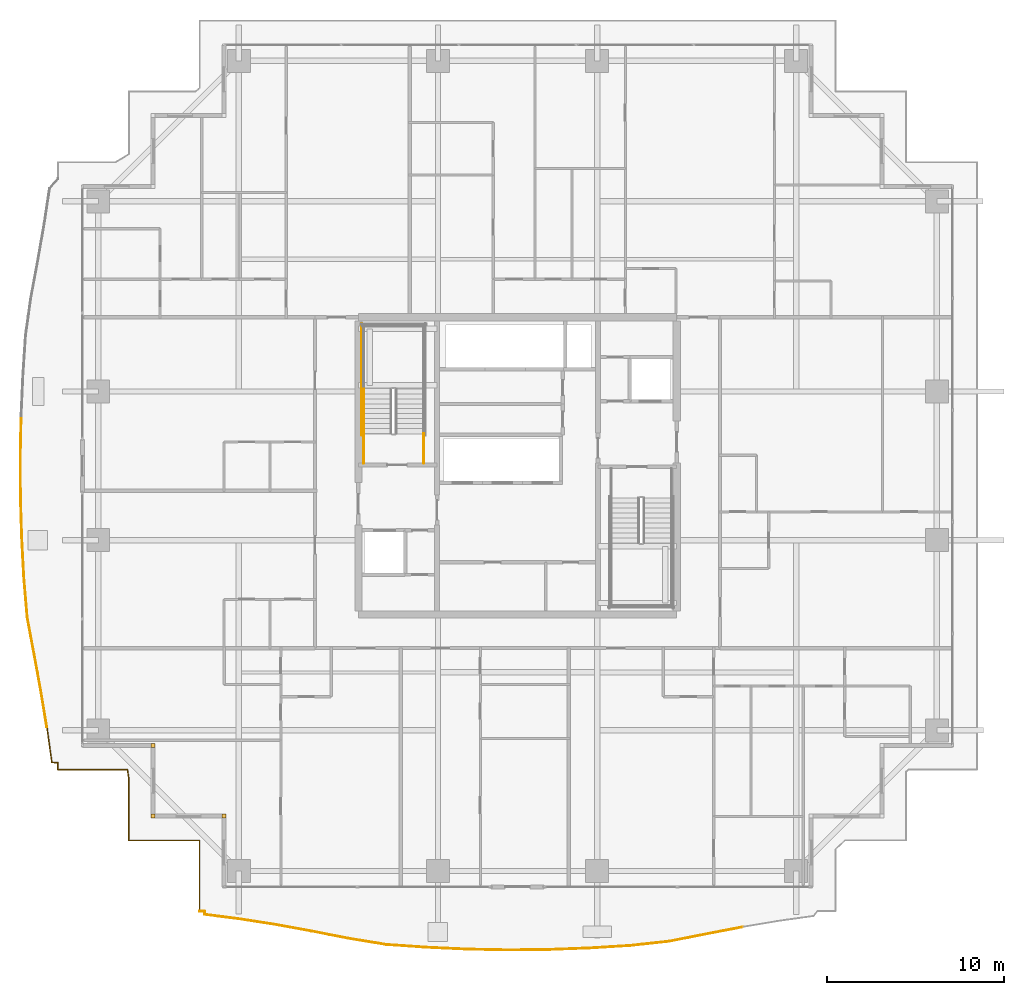
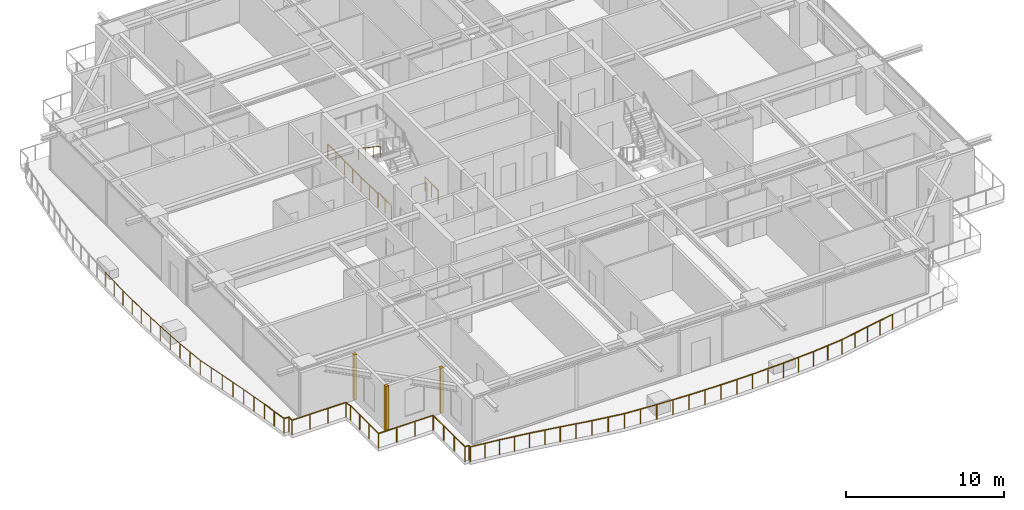
# One storey, part 31 of 35: 8 railings, 3 coverings.
"""IFC4 building model written with IfcOpenShell, lengths in metres."""

from ifc_helpers import new_model, si_unit, direction, frame, origin, origin_2d, place, context, subcontext, project, spatial, rectangle, circle, extrude, source, transform, mapped, material, layer, layer_set, type_object, element, save


model = new_model("IFC4")

# Units and contexts
model_context = context("Model", 3, precision=1e-05, world=origin(), true_north=direction((0.0, 1.0)))
body_context = subcontext(model_context, "Body", "Model", "MODEL_VIEW")
ifc_project = project(units=[si_unit("LENGTHUNIT", "METRE"), si_unit("AREAUNIT", "SQUARE_METRE"), si_unit("VOLUMEUNIT", "CUBIC_METRE"), si_unit("PLANEANGLEUNIT", "RADIAN"), si_unit("MASSUNIT", "GRAM", prefix="KILO")], contexts=[model_context])

# Site, building, storey
site_placement = place(None, origin())
site = spatial("IfcSite", under=ifc_project, at=site_placement, CompositionType="ELEMENT")
building_placement = place(site_placement, origin())
building = spatial("IfcBuilding", under=site, at=building_placement, Name="Serunith Strait Residences", CompositionType="ELEMENT")
storey_placement = place(building_placement, frame((0.0, 0.0, 172.64990234375)))
storey = spatial("IfcBuildingStorey", under=building, at=storey_placement, Name="L43", CompositionType="ELEMENT", Elevation=172.64990234375)

# Railings
ifc_material_1 = material(Name="Stainless Steel & Laminated Glass Balustrade", Category="steel")
railing_type_1 = type_object("IfcRailingType", Name="RLG-BALC-1150", PredefinedType="BALUSTRADE", material=ifc_material_1)
railing_1_placement = place(storey_placement, frame((14.419921875, 0.02001953125, -0.0498046875)))
element("IfcRailing", 1, at=railing_1_placement, inside=storey, type_object=railing_type_1, Name="L43 Swirling Balcony Perimeter Balustrade 1", PredefinedType="BALUSTRADE", context=body_context, shape_type="SweptSolid", body=[
    extrude(circle(Radius=0.02392578125, at=origin_2d()), frame((0.0, 0.001953125, 1.1259765625), z_axis=(0.0, 1.0, 0.0), x_axis=(-1.0, 0.0, 0.0)), (0.0, 0.0, 1.0), 3.99609375),
    extrude(circle(Radius=0.02392578125, at=origin_2d()), frame((-0.001953125, 4.0, 1.1259765625), z_axis=(-1.0, 0.0, 0.0), x_axis=(0.0, -1.0, 0.0)), (0.0, 0.0, 1.0), 3.99609375),
    extrude(circle(Radius=0.02392578125, at=origin_2d()), frame((-4.0, 4.001953125, 1.1259765625), z_axis=(0.0, 1.0, 0.0), x_axis=(-1.0, 0.0, 0.0)), (0.0, 0.0, 1.0), 3.53271484375),
    extrude(circle(Radius=0.02392578125, at=origin_2d()), frame((-4.000244140625, 7.53857421875, 1.1259765625), z_axis=(-0.146454216708, 0.989217449507, 0.0), x_axis=(-0.989217449507, -0.146454216708, 0.0)), (0.0, 0.0, 1.0), 0.46435546875),
    extrude(circle(Radius=0.02392578125, at=origin_2d()), frame((-4.070556640625, 8.0, 1.1259765625), z_axis=(-1.0, 0.0, 0.0), x_axis=(0.0, -1.0, 0.0)), (0.0, 0.0, 1.0), 3.927490234375),
    extrude(circle(Radius=0.02392578125, at=origin_2d()), frame((-8.0, 8.001953125, 1.1259765625), z_axis=(0.0, 1.0, 0.0), x_axis=(-1.0, 0.0, 0.0)), (0.0, 0.0, 1.0), 0.391357421875),
    extrude(circle(Radius=0.02392578125, at=origin_2d()), frame((-8.001953125, 8.395263671875, 1.1259765625), z_axis=(-0.998356331499, 0.057311738378, 0.0), x_axis=(-0.057311738378, -0.998356331499, 0.0)), (0.0, 0.0, 1.0), 0.341064453125),
    extrude(circle(Radius=0.02392578125, at=origin_2d()), frame((-8.3447265625, 8.4169921875, 1.1259765625), z_axis=(-0.138226324343, 0.990400668042, 0.0), x_axis=(-0.990400668042, -0.138226324343, 0.0)), (0.0, 0.0, 1.0), 2.018310546875),
    extrude(circle(Radius=0.02099609375, at=origin_2d()), origin(), (0.0, 0.0, 1.0), 1.099853515625),
    extrude(circle(Radius=0.02099609375, at=origin_2d()), frame((0.0, 1.333251953125, 0.0)), (0.0, 0.0, 1.0), 1.099853515625),
    extrude(circle(Radius=0.02099609375, at=origin_2d()), frame((0.0, 2.666748046875, 0.0)), (0.0, 0.0, 1.0), 1.099853515625),
    extrude(circle(Radius=0.02099609375, at=origin_2d()), frame((0.0, 4.0, 0.0)), (0.0, 0.0, 1.0), 1.099853515625),
    extrude(circle(Radius=0.02099609375, at=origin_2d()), frame((-1.333251953125, 4.0, 0.0)), (0.0, 0.0, 1.0), 1.099853515625),
    extrude(circle(Radius=0.02099609375, at=origin_2d()), frame((-2.666748046875, 4.0, 0.0)), (0.0, 0.0, 1.0), 1.099853515625),
    extrude(circle(Radius=0.02099609375, at=origin_2d()), frame((-4.0, 4.0, 0.0)), (0.0, 0.0, 1.0), 1.099853515625),
    extrude(circle(Radius=0.02099609375, at=origin_2d()), frame((-4.0, 5.178955078125, 0.0)), (0.0, 0.0, 1.0), 1.099853515625),
    extrude(circle(Radius=0.02099609375, at=origin_2d()), frame((-4.0, 6.357666015625, 0.0)), (0.0, 0.0, 1.0), 1.099853515625),
    extrude(circle(Radius=0.02099609375, at=origin_2d()), frame((-4.0, 7.53662109375, 0.0)), (0.0, 0.0, 1.0), 1.099853515625),
    extrude(circle(Radius=0.02099609375, at=origin_2d()), frame((-4.068603515625, 8.0, 0.0)), (0.0, 0.0, 1.0), 1.099853515625),
    extrude(circle(Radius=0.02099609375, at=origin_2d()), frame((-5.379150390625, 8.0, 0.0)), (0.0, 0.0, 1.0), 1.099853515625),
    extrude(circle(Radius=0.02099609375, at=origin_2d()), frame((-6.689453125, 8.0, 0.0)), (0.0, 0.0, 1.0), 1.099853515625),
    extrude(circle(Radius=0.02099609375, at=origin_2d()), frame((-8.0, 8.0, 0.0)), (0.0, 0.0, 1.0), 1.099853515625),
    extrude(circle(Radius=0.02099609375, at=origin_2d()), frame((-8.0, 8.395263671875, 0.0)), (0.0, 0.0, 1.0), 1.099853515625),
    extrude(circle(Radius=0.02099609375, at=origin_2d()), frame((-8.344482421875, 8.4150390625, 0.0)), (0.0, 0.0, 1.0), 1.099853515625),
    extrude(circle(Radius=0.02099609375, at=origin_2d()), frame((-8.484375, 9.41650390625, 0.0)), (0.0, 0.0, 1.0), 1.099853515625),
    extrude(circle(Radius=0.02099609375, at=origin_2d()), frame((-8.6240234375, 10.41796875, 0.0)), (0.0, 0.0, 1.0), 1.099853515625),
])
railing_2_placement = place(storey_placement, frame((5.7958984375, 10.43798828125, -0.0498046875)))
element("IfcRailing", 2, at=railing_2_placement, inside=storey, type_object=railing_type_1, Name="L43 Swirling Balcony Perimeter Balustrade 2", PredefinedType="BALUSTRADE", context=body_context, shape_type="SweptSolid", body=[
    extrude(circle(Radius=0.02392578125, at=origin_2d()), frame((-0.000244140625, 0.001953125, 1.1259765625), z_axis=(-0.162390802915, 0.986726520941, 0.0), x_axis=(-0.986726520941, -0.162390802915, 0.0)), (0.0, 0.0, 1.0), 2.046630859375),
    extrude(circle(Radius=0.02392578125, at=origin_2d()), frame((-0.333251953125, 2.025390625, 1.1259765625), z_axis=(-0.179797984583, 0.983703555315, 0.0), x_axis=(-0.983703555315, -0.179797984583, 0.0)), (0.0, 0.0, 1.0), 2.091064453125),
    extrude(circle(Radius=0.02392578125, at=origin_2d()), frame((-0.710205078125, 4.08642578125, 1.1259765625), z_axis=(-0.183891499538, 0.982946548088, 0.0), x_axis=(-0.982946548088, -0.183891499538, 0.0)), (0.0, 0.0, 1.0), 2.1494140625),
    extrude(circle(Radius=0.02392578125, at=origin_2d()), frame((-1.10595703125, 6.203125, 1.1259765625), z_axis=(-0.084590018295, 0.996415841306, 0.0), x_axis=(-0.996415841306, -0.084590018295, 0.0)), (0.0, 0.0, 1.0), 2.232666015625),
    extrude(circle(Radius=0.02392578125, at=origin_2d()), frame((-1.294921875, 8.431884765625, 1.1259765625), z_axis=(-0.05284634898, 0.998602655414, 0.0), x_axis=(-0.998602655414, -0.05284634898, 0.0)), (0.0, 0.0, 1.0), 2.26904296875),
    extrude(circle(Radius=0.02392578125, at=origin_2d()), frame((-1.4150390625, 10.70166015625, 1.1259765625), z_axis=(-0.030018414859, 0.99954934584, 0.0), x_axis=(-0.99954934584, -0.030018414859, 0.0)), (0.0, 0.0, 1.0), 2.28955078125),
    extrude(circle(Radius=0.02392578125, at=origin_2d()), frame((-1.48388671875, 12.994140625, 1.1259765625), z_axis=(-0.004982446371, 0.999987587537, 0.0), x_axis=(-0.999987587537, -0.004982446371, 0.0)), (0.0, 0.0, 1.0), 2.299072265625),
    extrude(circle(Radius=0.02392578125, at=origin_2d()), frame((-1.495361328125, 15.297119140625, 1.1259765625), z_axis=(0.020601043923, 0.999787775975, 0.0), x_axis=(-0.999787775975, 0.020601043923, 0.0)), (0.0, 0.0, 1.0), 2.295166015625),
    extrude(circle(Radius=0.02099609375, at=origin_2d()), origin(), (0.0, 0.0, 1.0), 1.099853515625),
    extrude(circle(Radius=0.02099609375, at=origin_2d()), frame((-0.16650390625, 1.01171875, 0.0)), (0.0, 0.0, 1.0), 1.099853515625),
    extrude(circle(Radius=0.02099609375, at=origin_2d()), frame((-0.3330078125, 2.0234375, 0.0)), (0.0, 0.0, 1.0), 1.099853515625),
    extrude(circle(Radius=0.02099609375, at=origin_2d()), frame((-0.521484375, 3.053955078125, 0.0)), (0.0, 0.0, 1.0), 1.099853515625),
    extrude(circle(Radius=0.02099609375, at=origin_2d()), frame((-0.709716796875, 4.08447265625, 0.0)), (0.0, 0.0, 1.0), 1.099853515625),
    extrude(circle(Radius=0.02099609375, at=origin_2d()), frame((-0.90771484375, 5.142822265625, 0.0)), (0.0, 0.0, 1.0), 1.099853515625),
    extrude(circle(Radius=0.02099609375, at=origin_2d()), frame((-1.105712890625, 6.201171875, 0.0)), (0.0, 0.0, 1.0), 1.099853515625),
    extrude(circle(Radius=0.02099609375, at=origin_2d()), frame((-1.2001953125, 7.3154296875, 0.0)), (0.0, 0.0, 1.0), 1.099853515625),
    extrude(circle(Radius=0.02099609375, at=origin_2d()), frame((-1.294921875, 8.429931640625, 0.0)), (0.0, 0.0, 1.0), 1.099853515625),
    extrude(circle(Radius=0.02099609375, at=origin_2d()), frame((-1.35498046875, 9.56494140625, 0.0)), (0.0, 0.0, 1.0), 1.099853515625),
    extrude(circle(Radius=0.02099609375, at=origin_2d()), frame((-1.4150390625, 10.69970703125, 0.0)), (0.0, 0.0, 1.0), 1.099853515625),
    extrude(circle(Radius=0.02099609375, at=origin_2d()), frame((-1.449462890625, 11.845947265625, 0.0)), (0.0, 0.0, 1.0), 1.099853515625),
    extrude(circle(Radius=0.02099609375, at=origin_2d()), frame((-1.48388671875, 12.9921875, 0.0)), (0.0, 0.0, 1.0), 1.099853515625),
    extrude(circle(Radius=0.02099609375, at=origin_2d()), frame((-1.48974609375, 14.1435546875, 0.0)), (0.0, 0.0, 1.0), 1.099853515625),
    extrude(circle(Radius=0.02099609375, at=origin_2d()), frame((-1.495361328125, 15.295166015625, 0.0)), (0.0, 0.0, 1.0), 1.099853515625),
    extrude(circle(Radius=0.02099609375, at=origin_2d()), frame((-1.4716796875, 16.4443359375, 0.0)), (0.0, 0.0, 1.0), 1.099853515625),
    extrude(circle(Radius=0.02099609375, at=origin_2d()), frame((-1.447998046875, 17.59375, 0.0)), (0.0, 0.0, 1.0), 1.099853515625),
])
railing_3_placement = place(storey_placement, frame((45.1416015625, -0.8671875, -0.0498046875)))
element("IfcRailing", 3, at=railing_3_placement, inside=storey, type_object=railing_type_1, Name="L43 Swirling Balcony Perimeter Balustrade 7", PredefinedType="BALUSTRADE", context=body_context, shape_type="SweptSolid", body=[
    extrude(circle(Radius=0.02392578125, at=origin_2d()), frame((-0.001953125, -0.00048828125, 1.1259765625), z_axis=(-0.982317065038, -0.187224954896, 0.0), x_axis=(0.187224954896, -0.982317065038, 0.0)), (0.0, 0.0, 1.0), 2.083740234375),
    extrude(circle(Radius=0.02392578125, at=origin_2d()), frame((-2.052734375, -0.391357421875, 1.1259765625), z_axis=(-0.980659239032, -0.195722908474, 0.0), x_axis=(0.195722908474, -0.980659239032, 0.0)), (0.0, 0.0, 1.0), 2.145263671875),
    extrude(circle(Radius=0.02392578125, at=origin_2d()), frame((-4.160400390625, -0.811767578125, 1.1259765625), z_axis=(-0.994238247808, -0.107192847687, 0.0), x_axis=(0.107192847687, -0.994238247808, 0.0)), (0.0, 0.0, 1.0), 2.230224609375),
    extrude(circle(Radius=0.02392578125, at=origin_2d()), frame((-6.3818359375, -1.05126953125, 1.1259765625), z_axis=(-0.99807127441, -0.062078427792, 0.0), x_axis=(0.062078427792, -0.99807127441, 0.0)), (0.0, 0.0, 1.0), 2.277099609375),
    extrude(circle(Radius=0.02392578125, at=origin_2d()), frame((-8.658447265625, -1.192626953125, 1.1259765625), z_axis=(-0.999293346961, -0.037587321273, 0.0), x_axis=(0.037587321273, -0.999293346961, 0.0)), (0.0, 0.0, 1.0), 2.3017578125),
    extrude(circle(Radius=0.02392578125, at=origin_2d()), frame((-10.962646484375, -1.279296875, 1.1259765625), z_axis=(-0.999952015864, -0.009796222214, 0.0), x_axis=(0.009796222214, -0.999952015864, 0.0)), (0.0, 0.0, 1.0), 2.313720703125),
    extrude(circle(Radius=0.02392578125, at=origin_2d()), frame((-13.2802734375, -1.302001953125, 1.1259765625), z_axis=(-0.999819789152, 0.018983920047, 0.0), x_axis=(-0.018983920047, -0.999819789152, 0.0)), (0.0, 0.0, 1.0), 2.310791015625),
    extrude(circle(Radius=0.02392578125, at=origin_2d()), frame((-15.5947265625, -1.258056640625, 1.1259765625), z_axis=(-0.998941197084, 0.046005268915, 0.0), x_axis=(-0.046005268915, -0.998941197084, 0.0)), (0.0, 0.0, 1.0), 2.2939453125),
    extrude(circle(Radius=0.02099609375, at=origin_2d()), origin(), (0.0, 0.0, 1.0), 1.099853515625),
    extrude(circle(Radius=0.02099609375, at=origin_2d()), frame((-1.025390625, -0.1953125, 0.0)), (0.0, 0.0, 1.0), 1.099853515625),
    extrude(circle(Radius=0.02099609375, at=origin_2d()), frame((-2.05078125, -0.390869140625, 0.0)), (0.0, 0.0, 1.0), 1.099853515625),
    extrude(circle(Radius=0.02099609375, at=origin_2d()), frame((-3.1044921875, -0.60107421875, 0.0)), (0.0, 0.0, 1.0), 1.099853515625),
    extrude(circle(Radius=0.02099609375, at=origin_2d()), frame((-4.158447265625, -0.8115234375, 0.0)), (0.0, 0.0, 1.0), 1.099853515625),
    extrude(circle(Radius=0.02099609375, at=origin_2d()), frame((-5.26904296875, -0.93115234375, 0.0)), (0.0, 0.0, 1.0), 1.099853515625),
    extrude(circle(Radius=0.02099609375, at=origin_2d()), frame((-6.3798828125, -1.051025390625, 0.0)), (0.0, 0.0, 1.0), 1.099853515625),
    extrude(circle(Radius=0.02099609375, at=origin_2d()), frame((-7.51806640625, -1.121826171875, 0.0)), (0.0, 0.0, 1.0), 1.099853515625),
    extrude(circle(Radius=0.02099609375, at=origin_2d()), frame((-8.656494140625, -1.192626953125, 0.0)), (0.0, 0.0, 1.0), 1.099853515625),
    extrude(circle(Radius=0.02099609375, at=origin_2d()), frame((-9.80859375, -1.23583984375, 0.0)), (0.0, 0.0, 1.0), 1.099853515625),
    extrude(circle(Radius=0.02099609375, at=origin_2d()), frame((-10.960693359375, -1.279296875, 0.0)), (0.0, 0.0, 1.0), 1.099853515625),
    extrude(circle(Radius=0.02099609375, at=origin_2d()), frame((-12.11962890625, -1.29052734375, 0.0)), (0.0, 0.0, 1.0), 1.099853515625),
    extrude(circle(Radius=0.02099609375, at=origin_2d()), frame((-13.2783203125, -1.302001953125, 0.0)), (0.0, 0.0, 1.0), 1.099853515625),
    extrude(circle(Radius=0.02099609375, at=origin_2d()), frame((-14.435546875, -1.280029296875, 0.0)), (0.0, 0.0, 1.0), 1.099853515625),
    extrude(circle(Radius=0.02099609375, at=origin_2d()), frame((-15.5927734375, -1.258056640625, 0.0)), (0.0, 0.0, 1.0), 1.099853515625),
    extrude(circle(Radius=0.02099609375, at=origin_2d()), frame((-16.740478515625, -1.205078125, 0.0)), (0.0, 0.0, 1.0), 1.099853515625),
    extrude(circle(Radius=0.02099609375, at=origin_2d()), frame((-17.88818359375, -1.15234375, 0.0)), (0.0, 0.0, 1.0), 1.099853515625),
])
railing_4_placement = place(storey_placement, frame((27.25341796875, -2.01953125, -0.0498046875)))
element("IfcRailing", 4, at=railing_4_placement, inside=storey, type_object=railing_type_1, Name="L43 Swirling Balcony Perimeter Balustrade 8", PredefinedType="BALUSTRADE", context=body_context, shape_type="SweptSolid", body=[
    extrude(circle(Radius=0.02392578125, at=origin_2d()), frame((-0.001953125, 0.000244140625, 1.1259765625), z_axis=(-0.997610932681, 0.069082754695, 0.0), x_axis=(-0.069082754695, -0.997610932681, 0.0)), (0.0, 0.0, 1.0), 2.264892578125),
    extrude(circle(Radius=0.02392578125, at=origin_2d()), frame((-2.265380859375, 0.156982421875, 1.1259765625), z_axis=(-0.986982646563, 0.160826786898, 0.0), x_axis=(-0.160826786898, -0.986982646563, 0.0)), (0.0, 0.0, 1.0), 2.191162109375),
    extrude(circle(Radius=0.02392578125, at=origin_2d()), frame((-4.431884765625, 0.51025390625, 1.1259765625), z_axis=(-0.980968298896, 0.194167959667, 0.0), x_axis=(-0.194167959667, -0.980968298896, 0.0)), (0.0, 0.0, 1.0), 2.1171875),
    extrude(circle(Radius=0.02392578125, at=origin_2d()), frame((-6.5126953125, 0.921875, 1.1259765625), z_axis=(-0.983803672954, 0.179249360061, 0.0), x_axis=(-0.179249360061, -0.983803672954, 0.0)), (0.0, 0.0, 1.0), 2.062255859375),
    extrude(circle(Radius=0.02392578125, at=origin_2d()), frame((-8.54541015625, 1.292236328125, 1.1259765625), z_axis=(-0.987995971615, 0.154479642907, 0.0), x_axis=(-0.154479642907, -0.987995971615, 0.0)), (0.0, 0.0, 1.0), 2.025146484375),
    extrude(circle(Radius=0.02392578125, at=origin_2d()), frame((-10.55029296875, 1.605712890625, 1.1259765625), z_axis=(-0.992000678108, 0.126232541893, 0.0), x_axis=(-0.126232541893, -0.992000678108, 0.0)), (0.0, 0.0, 1.0), 2.00537109375),
    extrude(circle(Radius=0.02392578125, at=origin_2d()), frame((-12.541748046875, 1.861083984375, 1.1259765625), z_axis=(0.009471834896, 0.999955141166, 0.0), x_axis=(-0.999955141166, 0.009471834896, 0.0)), (0.0, 0.0, 1.0), 0.176513671875),
    extrude(circle(Radius=0.02392578125, at=origin_2d()), frame((-12.5419921875, 2.03955078125, 1.1259765625), z_axis=(-1.0, 0.0, 0.0), x_axis=(0.0, -1.0, 0.0)), (0.0, 0.0, 1.0), 0.28955078125),
    extrude(circle(Radius=0.02099609375, at=origin_2d()), origin(), (0.0, 0.0, 1.0), 1.099853515625),
    extrude(circle(Radius=0.02099609375, at=origin_2d()), frame((-1.1318359375, 0.078369140625, 0.0)), (0.0, 0.0, 1.0), 1.099853515625),
    extrude(circle(Radius=0.02099609375, at=origin_2d()), frame((-2.263427734375, 0.15673828125, 0.0)), (0.0, 0.0, 1.0), 1.099853515625),
    extrude(circle(Radius=0.02099609375, at=origin_2d()), frame((-3.3466796875, 0.333251953125, 0.0)), (0.0, 0.0, 1.0), 1.099853515625),
    extrude(circle(Radius=0.02099609375, at=origin_2d()), frame((-4.429931640625, 0.509765625, 0.0)), (0.0, 0.0, 1.0), 1.099853515625),
    extrude(circle(Radius=0.02099609375, at=origin_2d()), frame((-5.47021484375, 0.7158203125, 0.0)), (0.0, 0.0, 1.0), 1.099853515625),
    extrude(circle(Radius=0.02099609375, at=origin_2d()), frame((-6.5107421875, 0.921630859375, 0.0)), (0.0, 0.0, 1.0), 1.099853515625),
    extrude(circle(Radius=0.02099609375, at=origin_2d()), frame((-7.527099609375, 1.10693359375, 0.0)), (0.0, 0.0, 1.0), 1.099853515625),
    extrude(circle(Radius=0.02099609375, at=origin_2d()), frame((-8.54345703125, 1.2919921875, 0.0)), (0.0, 0.0, 1.0), 1.099853515625),
    extrude(circle(Radius=0.02099609375, at=origin_2d()), frame((-9.5458984375, 1.44873046875, 0.0)), (0.0, 0.0, 1.0), 1.099853515625),
    extrude(circle(Radius=0.02099609375, at=origin_2d()), frame((-10.54833984375, 1.60546875, 0.0)), (0.0, 0.0, 1.0), 1.099853515625),
    extrude(circle(Radius=0.02099609375, at=origin_2d()), frame((-11.544921875, 1.732421875, 0.0)), (0.0, 0.0, 1.0), 1.099853515625),
    extrude(circle(Radius=0.02099609375, at=origin_2d()), frame((-12.541748046875, 1.859130859375, 0.0)), (0.0, 0.0, 1.0), 1.099853515625),
    extrude(circle(Radius=0.02099609375, at=origin_2d()), frame((-12.5400390625, 2.03955078125, 0.0)), (0.0, 0.0, 1.0), 1.099853515625),
    extrude(circle(Radius=0.02099609375, at=origin_2d()), frame((-12.83349609375, 2.03955078125, 0.0)), (0.0, 0.0, 1.0), 1.099853515625),
])
ifc_material_2 = material(Name="Brushed stainless steel 316L", Category="steel")
railing_type_2 = type_object("IfcRailingType", Name="RLG-STAIR-GUARD", PredefinedType="BALUSTRADE", material=ifc_material_2)
for number, where, name in (
    (5, (27.10009765625, 25.35009765625, 0.0), "L43 ST-1 stair guard 8"),
    (6, (23.699951171875, 25.35009765625, 0.0), "L43 ST-1 stair guard 9"),
):
    element("IfcRailing", number, at=place(storey_placement, frame(where)), inside=storey, type_object=railing_type_2, Name=name, PredefinedType="BALUSTRADE", context=body_context, shape_type="SweptSolid", body=[
        extrude(circle(Radius=0.02392578125, at=origin_2d()), frame((0.0, 0.001953125, 1.076171875), z_axis=(0.0, 1.0, 0.0), x_axis=(-1.0, 0.0, 0.0)), (0.0, 0.0, 1.0), 1.676025390625),
        extrude(circle(Radius=0.02099609375, at=origin_2d()), origin(), (0.0, 0.0, 1.0), 1.050048828125),
        extrude(circle(Radius=0.02099609375, at=origin_2d()), frame((0.0, 0.83984375, 0.0)), (0.0, 0.0, 1.0), 1.050048828125),
        extrude(circle(Radius=0.02099609375, at=origin_2d()), frame((0.0, 1.679931640625, 0.0)), (0.0, 0.0, 1.0), 1.050048828125),
    ])
railing_5_placement = place(storey_placement, frame((23.60009765625, 26.929931640625, 0.0)))
element("IfcRailing", 7, at=railing_5_placement, inside=storey, type_object=railing_type_2, Name="L43 ST-1 stair guard 11", PredefinedType="BALUSTRADE", context=body_context, shape_type="SweptSolid", body=[
    extrude(circle(Radius=0.02392578125, at=origin_2d()), frame((0.0, 0.001953125, 1.076171875), z_axis=(0.0, 1.0, 0.0), x_axis=(-1.0, 0.0, 0.0)), (0.0, 0.0, 1.0), 6.316162109375),
    extrude(circle(Radius=0.02099609375, at=origin_2d()), origin(), (0.0, 0.0, 1.0), 1.050048828125),
    extrude(circle(Radius=0.02099609375, at=origin_2d()), frame((0.0, 1.05322265625, 0.0)), (0.0, 0.0, 1.0), 1.050048828125),
    extrude(circle(Radius=0.02099609375, at=origin_2d()), frame((0.0, 2.106689453125, 0.0)), (0.0, 0.0, 1.0), 1.050048828125),
    extrude(circle(Radius=0.02099609375, at=origin_2d()), frame((0.0, 3.16015625, 0.0)), (0.0, 0.0, 1.0), 1.050048828125),
    extrude(circle(Radius=0.02099609375, at=origin_2d()), frame((0.0, 4.21337890625, 0.0)), (0.0, 0.0, 1.0), 1.050048828125),
    extrude(circle(Radius=0.02099609375, at=origin_2d()), frame((0.0, 5.2666015625, 0.0)), (0.0, 0.0, 1.0), 1.050048828125),
    extrude(circle(Radius=0.02099609375, at=origin_2d()), frame((0.0, 6.320068359375, 0.0)), (0.0, 0.0, 1.0), 1.050048828125),
])
railing_type_3 = type_object("IfcRailingType", Name="RLG-STAIR-HR", PredefinedType="HANDRAIL", material=ifc_material_2)
railing_6_placement = place(storey_placement, frame((23.699951171875, 29.550048828125, 2.0625)))
element("IfcRailing", 8, at=railing_6_placement, inside=storey, type_object=railing_type_3, Name="L43 ST-1 stair handrail 2", PredefinedType="HANDRAIL", context=body_context, shape_type="SweptSolid", body=[
    extrude(circle(Radius=0.02392578125, at=origin_2d()), frame((0.0, -0.001708984375, 0.876953125), z_axis=(0.0, -0.830208209119, 0.557453432594), x_axis=(1.0, 0.0, 0.0)), (0.0, 0.0, 1.0), 3.36865234375),
    extrude(circle(Radius=0.02099609375, at=origin_2d()), origin(), (0.0, 0.0, 1.0), 0.849853515625),
    extrude(circle(Radius=0.02099609375, at=origin_2d()), frame((0.0, -0.933349609375, 0.626708984375)), (0.0, 0.0, 1.0), 0.849853515625),
    extrude(circle(Radius=0.02099609375, at=origin_2d()), frame((0.0, -1.86669921875, 1.25341796875)), (0.0, 0.0, 1.0), 0.849853515625),
    extrude(circle(Radius=0.02099609375, at=origin_2d()), frame((0.0, -2.800048828125, 1.880126953125)), (0.0, 0.0, 1.0), 0.849853515625),
])

# Coverings
ifc_material_3 = material(Name="Pale-Champagne Anodised Aluminium", Category="aluminium")
ifc_layer = layer(ifc_material_3, 0.219970703125, Name="Pale-Champagne Anodised Aluminium")
ifc_layer_set = layer_set([ifc_layer], Name="Pale-Champagne Anodised Aluminium")
covering_type = type_object("IfcCoveringType", Name="COV-CORN-TRIM", PredefinedType="CLADDING", material=ifc_layer_set)
shared_shape = source(origin(), body_context, "Body", "SweptSolid", [
    extrude(rectangle(XDim=0.221923828125, YDim=0.221923828125, at=origin_2d()), origin(), (0.0, 0.0, 1.0), 3.47509765625),
])
for number, where, z_axis, x_axis, name in (
    (9, (11.800048828125, 9.39990234375, 0.0), (0.0, 0.0, 1.0), (1.0, 0.0, 0.0), "L43 Girih Serrated Corner Trim Post 17"),
    (10, (11.800048828125, 5.39990234375, 0.0), (0.0, 0.0, 1.0), (1.0, 0.0, 0.0), "L43 Girih Serrated Corner Trim Post 18"),
    (11, (15.800048828125, 5.39990234375, 0.0), (0.0, 0.0, 1.0), (1.0, 0.0, 0.0), "L43 Girih Serrated Corner Trim Post 19"),
):
    element("IfcCovering", number, at=place(storey_placement, frame(where, z_axis=z_axis, x_axis=x_axis)), inside=storey, type_object=covering_type, Name=name, PredefinedType="CLADDING", context=body_context, shape_type="MappedRepresentation", body=[
        mapped(shared_shape, transform((0.0, 0.0, 0.0), scale=1.0)),
    ])

save(model, "model.ifc")
